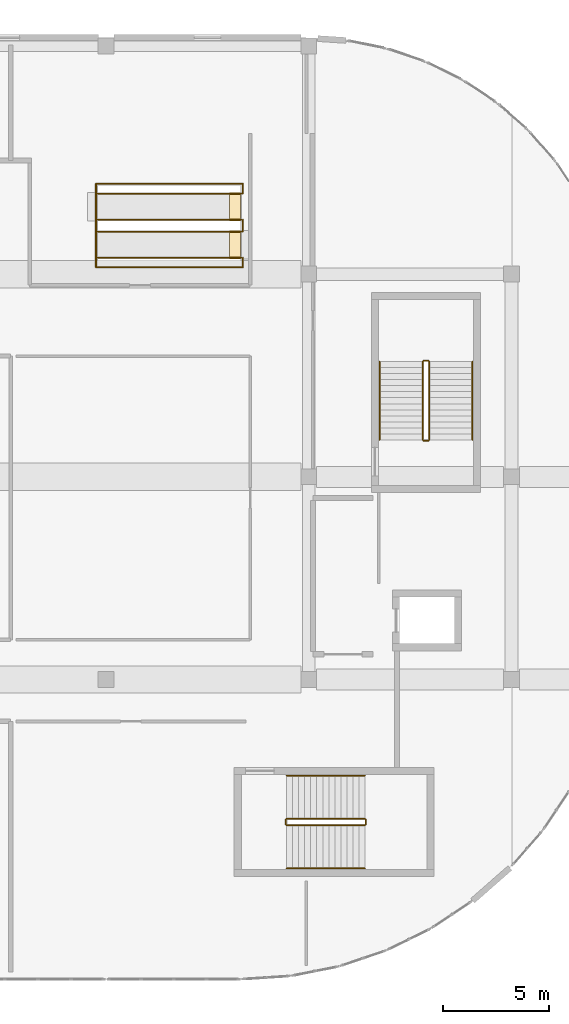
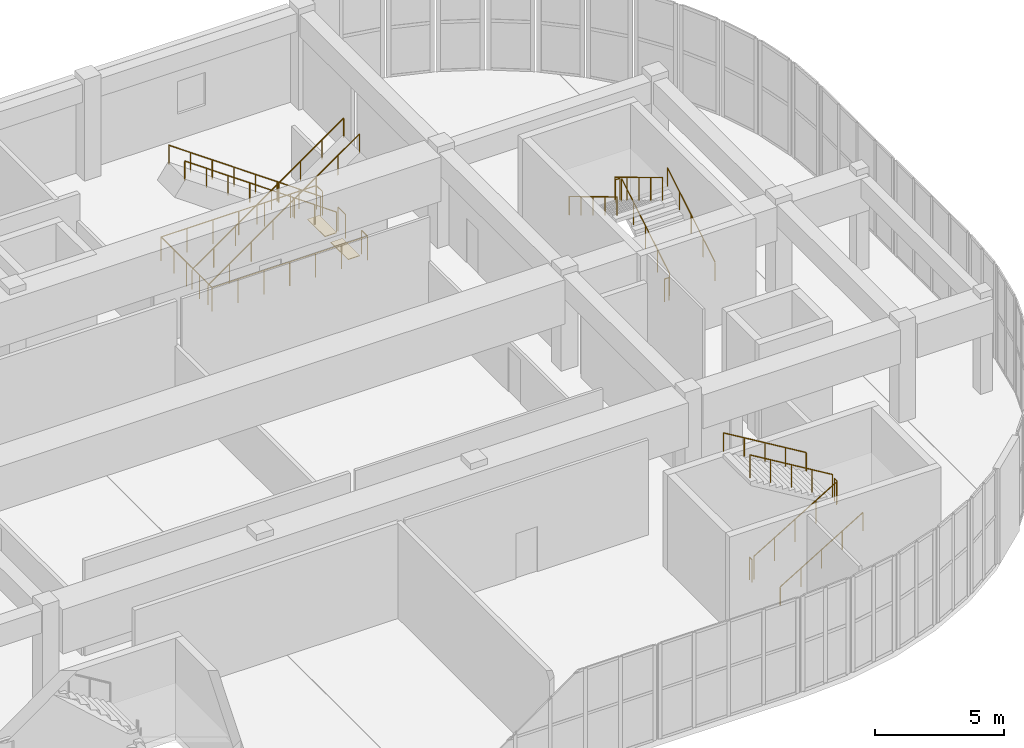
# One storey, part 26 of 28: 22 railings, 2 coverings.
"""IFC4 building model written with IfcOpenShell, lengths in metres."""

from ifc_helpers import new_model, si_unit, direction, frame, origin, origin_2d, place, context, subcontext, project, spatial, polyline, circle, outline, extrude, material, layer, layer_set, type_object, element, save


model = new_model("IFC4")

# Units and contexts
model_context = context("Model", 3, precision=1e-05, world=origin(), true_north=direction((0.0, 1.0)))
body_context = subcontext(model_context, "Body", "Model", "MODEL_VIEW")
ifc_project = project(units=[si_unit("LENGTHUNIT", "METRE"), si_unit("AREAUNIT", "SQUARE_METRE"), si_unit("VOLUMEUNIT", "CUBIC_METRE"), si_unit("PLANEANGLEUNIT", "RADIAN"), si_unit("MASSUNIT", "GRAM", prefix="KILO")], contexts=[model_context])

# Site, building, storey
site_placement = place(None, origin())
site = spatial("IfcSite", under=ifc_project, at=site_placement, CompositionType="ELEMENT")
building_placement = place(site_placement, origin())
building = spatial("IfcBuilding", under=site, at=building_placement, Name="Cendralis Terraced Arcade", CompositionType="ELEMENT")
storey_placement = place(building_placement, frame((0.0, 0.0, 24.60009765625)))
storey = spatial("IfcBuildingStorey", under=building, at=storey_placement, Name="L05", CompositionType="ELEMENT", Elevation=24.60009765625)

# Coverings
ifc_material_1 = material(Name="Polished Bogota limestone terrazzo flooring", Category="masonry")
ifc_layer = layer(ifc_material_1, 0.030029296875, Name="COV-FLR-TERZ-30")
ifc_layer_set = layer_set([ifc_layer], Name="Polished Bogota limestone terrazzo flooring")
covering_type = type_object("IfcCoveringType", Name="COV-FLR-TERZ-30", PredefinedType="FLOORING", material=ifc_layer_set)
covering_1_placement = place(storey_placement, frame((0.0, 0.0, -0.030029296875)))
element("IfcCovering", 1, at=covering_1_placement, inside=storey, type_object=covering_type, Name="Escalator Landing Comb-Plate Finish L05-09", PredefinedType="FLOORING", context=body_context, shape_type="SweptSolid", body=[
    extrude(outline(polyline([(44.25, 39.125), (44.77490234375, 39.125), (44.77490234375, 40.47509765625), (44.25, 40.47509765625), (44.25, 39.125)])), origin(), (0.0, 0.0, 1.0), 0.030029296875),
])
covering_2_placement = place(storey_placement, frame((0.0, 0.0, -0.030029296875)))
element("IfcCovering", 2, at=covering_2_placement, inside=storey, type_object=covering_type, Name="Escalator Landing Comb-Plate Finish L05-10", PredefinedType="FLOORING", context=body_context, shape_type="SweptSolid", body=[
    extrude(outline(polyline([(44.25, 40.925048828125), (44.77490234375, 40.925048828125), (44.77490234375, 42.27490234375), (44.25, 42.27490234375), (44.25, 40.925048828125)])), origin(), (0.0, 0.0, 1.0), 0.030029296875),
])

# Railings
ifc_material_2 = material(Name="Brushed stainless steel AISI 316", Category="steel")
railing_type_1 = type_object("IfcRailingType", Name="RL-ESC-HAND-950", PredefinedType="HANDRAIL", material=ifc_material_2)
for number, where, name in (
    (3, (38.0, 39.18505859375, 0.0), "Escalator Balustrade Handrail ESC-11-1"),
    (4, (38.0, 40.4150390625, 0.0), "Escalator Balustrade Handrail ESC-11-2"),
):
    element("IfcRailing", number, at=place(storey_placement, frame(where)), inside=storey, type_object=railing_type_1, Name=name, PredefinedType="HANDRAIL", context=body_context, shape_type="SweptSolid", body=[
        extrude(circle(Radius=0.02392578125, at=origin_2d()), frame((0.0, 0.0, 0.92578125), z_axis=(0.816980869341, 0.0, 0.576664771883), x_axis=(0.0, 1.0, 0.0)), (0.0, 0.0, 1.0), 8.323486328125),
        extrude(circle(Radius=0.02099609375, at=origin_2d()), origin(), (0.0, 0.0, 1.0), 0.90185546875),
        extrude(circle(Radius=0.02099609375, at=origin_2d()), frame((0.971435546875, 0.0, 0.685791015625)), (0.0, 0.0, 1.0), 0.90185546875),
        extrude(circle(Radius=0.02099609375, at=origin_2d()), frame((1.94287109375, 0.0, 1.371337890625)), (0.0, 0.0, 1.0), 0.90185546875),
        extrude(circle(Radius=0.02099609375, at=origin_2d()), frame((2.914306640625, 0.0, 2.05712890625)), (0.0, 0.0, 1.0), 0.90185546875),
        extrude(circle(Radius=0.02099609375, at=origin_2d()), frame((3.8857421875, 0.0, 2.74267578125)), (0.0, 0.0, 1.0), 0.90185546875),
        extrude(circle(Radius=0.02099609375, at=origin_2d()), frame((4.857177734375, 0.0, 3.428466796875)), (0.0, 0.0, 1.0), 0.90185546875),
        extrude(circle(Radius=0.02099609375, at=origin_2d()), frame((5.82861328125, 0.0, 4.114013671875)), (0.0, 0.0, 1.0), 0.90185546875),
        extrude(circle(Radius=0.02099609375, at=origin_2d()), frame((6.800048828125, 0.0, 4.7998046875)), (0.0, 0.0, 1.0), 0.90185546875),
    ])
for number, where, name in (
    (5, (44.800048828125, 40.985107421875, 0.0), "Escalator Balustrade Handrail ESC-12-1"),
    (6, (44.800048828125, 42.215087890625, 0.0), "Escalator Balustrade Handrail ESC-12-2"),
):
    element("IfcRailing", number, at=place(storey_placement, frame(where)), inside=storey, type_object=railing_type_1, Name=name, PredefinedType="HANDRAIL", context=body_context, shape_type="SweptSolid", body=[
        extrude(circle(Radius=0.02392578125, at=origin_2d()), frame((0.0, 0.0, 0.92578125), z_axis=(-0.816980869341, 0.0, 0.576664771883), x_axis=(0.0, -1.0, 0.0)), (0.0, 0.0, 1.0), 8.323486328125),
        extrude(circle(Radius=0.02099609375, at=origin_2d()), origin(), (0.0, 0.0, 1.0), 0.90185546875),
        extrude(circle(Radius=0.02099609375, at=origin_2d()), frame((-0.971435546875, 0.0, 0.685791015625)), (0.0, 0.0, 1.0), 0.90185546875),
        extrude(circle(Radius=0.02099609375, at=origin_2d()), frame((-1.94287109375, 0.0, 1.371337890625)), (0.0, 0.0, 1.0), 0.90185546875),
        extrude(circle(Radius=0.02099609375, at=origin_2d()), frame((-2.914306640625, 0.0, 2.05712890625)), (0.0, 0.0, 1.0), 0.90185546875),
        extrude(circle(Radius=0.02099609375, at=origin_2d()), frame((-3.8857421875, 0.0, 2.74267578125)), (0.0, 0.0, 1.0), 0.90185546875),
        extrude(circle(Radius=0.02099609375, at=origin_2d()), frame((-4.857177734375, 0.0, 3.428466796875)), (0.0, 0.0, 1.0), 0.90185546875),
        extrude(circle(Radius=0.02099609375, at=origin_2d()), frame((-5.82861328125, 0.0, 4.114013671875)), (0.0, 0.0, 1.0), 0.90185546875),
        extrude(circle(Radius=0.02099609375, at=origin_2d()), frame((-6.800048828125, 0.0, 4.7998046875)), (0.0, 0.0, 1.0), 0.90185546875),
    ])
railing_type_2 = type_object("IfcRailingType", Name="RL-STAIR-GUARD-1100", PredefinedType="GUARDRAIL", material=ifc_material_2)
railing_1_placement = place(storey_placement, frame((46.949951171875, 12.300048828125, 0.17138671875)))
element("IfcRailing", 7, at=railing_1_placement, inside=storey, type_object=railing_type_2, Name="L05 ST-03 stair guard 1", PredefinedType="GUARDRAIL", context=body_context, shape_type="SweptSolid", body=[
    extrude(circle(Radius=0.02392578125, at=origin_2d()), frame((0.0, 0.0, 1.076171875), z_axis=(0.856934400257, 0.0, 0.515425487977), x_axis=(0.0, 1.0, 0.0)), (0.0, 0.0, 1.0), 4.32373046875),
    extrude(circle(Radius=0.02099609375, at=origin_2d()), origin(), (0.0, 0.0, 1.0), 1.052001953125),
    extrude(circle(Radius=0.02099609375, at=origin_2d()), frame((0.92626953125, 0.0, 0.55712890625)), (0.0, 0.0, 1.0), 1.052001953125),
    extrude(circle(Radius=0.02099609375, at=origin_2d()), frame((1.8525390625, 0.0, 1.1142578125)), (0.0, 0.0, 1.0), 1.052001953125),
    extrude(circle(Radius=0.02099609375, at=origin_2d()), frame((2.77880859375, 0.0, 1.67138671875)), (0.0, 0.0, 1.0), 1.052001953125),
    extrude(circle(Radius=0.02099609375, at=origin_2d()), frame((3.705078125, 0.0, 2.228515625)), (0.0, 0.0, 1.0), 1.052001953125),
])
railing_2_placement = place(storey_placement, frame((50.705078125, 12.35009765625, 2.39990234375)))
element("IfcRailing", 8, at=railing_2_placement, inside=storey, type_object=railing_type_2, Name="L05 ST-03 stair guard 2", PredefinedType="GUARDRAIL", context=body_context, shape_type="SweptSolid", body=[
    extrude(circle(Radius=0.02392578125, at=origin_2d()), frame((0.0, 0.0, 1.076171875), z_axis=(0.0, 1.0, 0.0), x_axis=(-1.0, 0.0, 0.0)), (0.0, 0.0, 1.0), 0.199951171875),
    extrude(circle(Radius=0.02099609375, at=origin_2d()), origin(), (0.0, 0.0, 1.0), 1.052001953125),
    extrude(circle(Radius=0.02099609375, at=origin_2d()), frame((0.0, 0.199951171875, 0.0)), (0.0, 0.0, 1.0), 1.052001953125),
])
railing_3_placement = place(storey_placement, frame((50.655029296875, 12.60009765625, 2.5712890625)))
element("IfcRailing", 9, at=railing_3_placement, inside=storey, type_object=railing_type_2, Name="L05 ST-03 stair guard 3", PredefinedType="GUARDRAIL", context=body_context, shape_type="SweptSolid", body=[
    extrude(circle(Radius=0.02392578125, at=origin_2d()), frame((0.0, 0.0, 1.076171875), z_axis=(-0.856934400257, 0.0, 0.515425487977), x_axis=(0.0, -1.0, 0.0)), (0.0, 0.0, 1.0), 4.32373046875),
    extrude(circle(Radius=0.02099609375, at=origin_2d()), origin(), (0.0, 0.0, 1.0), 1.052001953125),
    extrude(circle(Radius=0.02099609375, at=origin_2d()), frame((-0.92626953125, 0.0, 0.55712890625)), (0.0, 0.0, 1.0), 1.052001953125),
    extrude(circle(Radius=0.02099609375, at=origin_2d()), frame((-1.8525390625, 0.0, 1.1142578125)), (0.0, 0.0, 1.0), 1.052001953125),
    extrude(circle(Radius=0.02099609375, at=origin_2d()), frame((-2.77880859375, 0.0, 1.67138671875)), (0.0, 0.0, 1.0), 1.052001953125),
    extrude(circle(Radius=0.02099609375, at=origin_2d()), frame((-3.705078125, 0.0, 2.228515625)), (0.0, 0.0, 1.0), 1.052001953125),
])
railing_4_placement = place(storey_placement, frame((46.89990234375, 12.35009765625, 0.0)))
element("IfcRailing", 10, at=railing_4_placement, inside=storey, type_object=railing_type_2, Name="L05 ST-03 stair guard 4", PredefinedType="GUARDRAIL", context=body_context, shape_type="SweptSolid", body=[
    extrude(circle(Radius=0.02392578125, at=origin_2d()), frame((0.0, 0.0, 1.076171875), z_axis=(0.0, 1.0, 0.0), x_axis=(-1.0, 0.0, 0.0)), (0.0, 0.0, 1.0), 0.199951171875),
    extrude(circle(Radius=0.02099609375, at=origin_2d()), origin(), (0.0, 0.0, 1.0), 1.052001953125),
    extrude(circle(Radius=0.02099609375, at=origin_2d()), frame((0.0, 0.199951171875, 0.0)), (0.0, 0.0, 1.0), 1.052001953125),
])
railing_5_placement = place(storey_placement, frame((53.699951171875, 30.550048828125, 0.17138671875)))
element("IfcRailing", 11, at=railing_5_placement, inside=storey, type_object=railing_type_2, Name="L05 ST-04 stair guard 1", PredefinedType="GUARDRAIL", context=body_context, shape_type="SweptSolid", body=[
    extrude(circle(Radius=0.02392578125, at=origin_2d()), frame((0.0, 0.0, 1.076171875), z_axis=(0.0, 0.856919398105, 0.515450429384), x_axis=(-1.0, 0.0, 0.0)), (0.0, 0.0, 1.0), 4.323486328125),
    extrude(circle(Radius=0.02099609375, at=origin_2d()), origin(), (0.0, 0.0, 1.0), 1.052001953125),
    extrude(circle(Radius=0.02099609375, at=origin_2d()), frame((0.0, 0.92626953125, 0.55712890625)), (0.0, 0.0, 1.0), 1.052001953125),
    extrude(circle(Radius=0.02099609375, at=origin_2d()), frame((0.0, 1.8525390625, 1.1142578125)), (0.0, 0.0, 1.0), 1.052001953125),
    extrude(circle(Radius=0.02099609375, at=origin_2d()), frame((0.0, 2.778564453125, 1.67138671875)), (0.0, 0.0, 1.0), 1.052001953125),
    extrude(circle(Radius=0.02099609375, at=origin_2d()), frame((0.0, 3.704833984375, 2.228515625)), (0.0, 0.0, 1.0), 1.052001953125),
])
railing_6_placement = place(storey_placement, frame((53.64990234375, 34.304931640625, 2.39990234375)))
element("IfcRailing", 12, at=railing_6_placement, inside=storey, type_object=railing_type_2, Name="L05 ST-04 stair guard 2", PredefinedType="GUARDRAIL", context=body_context, shape_type="SweptSolid", body=[
    extrude(circle(Radius=0.02392578125, at=origin_2d()), frame((0.0, 0.0, 1.076171875), z_axis=(-1.0, 0.0, 0.0), x_axis=(0.0, -1.0, 0.0)), (0.0, 0.0, 1.0), 0.199951171875),
    extrude(circle(Radius=0.02099609375, at=origin_2d()), origin(), (0.0, 0.0, 1.0), 1.052001953125),
    extrude(circle(Radius=0.02099609375, at=origin_2d()), frame((-0.199951171875, 0.0, 0.0)), (0.0, 0.0, 1.0), 1.052001953125),
])
railing_7_placement = place(storey_placement, frame((53.39990234375, 34.2548828125, 2.5712890625)))
element("IfcRailing", 13, at=railing_7_placement, inside=storey, type_object=railing_type_2, Name="L05 ST-04 stair guard 3", PredefinedType="GUARDRAIL", context=body_context, shape_type="SweptSolid", body=[
    extrude(circle(Radius=0.02392578125, at=origin_2d()), frame((0.0, 0.0, 1.076171875), z_axis=(0.0, -0.856919398105, 0.515450429384), x_axis=(1.0, 0.0, 0.0)), (0.0, 0.0, 1.0), 4.323486328125),
    extrude(circle(Radius=0.02099609375, at=origin_2d()), origin(), (0.0, 0.0, 1.0), 1.052001953125),
    extrude(circle(Radius=0.02099609375, at=origin_2d()), frame((0.0, -0.92626953125, 0.55712890625)), (0.0, 0.0, 1.0), 1.052001953125),
    extrude(circle(Radius=0.02099609375, at=origin_2d()), frame((0.0, -1.8525390625, 1.1142578125)), (0.0, 0.0, 1.0), 1.052001953125),
    extrude(circle(Radius=0.02099609375, at=origin_2d()), frame((0.0, -2.778564453125, 1.67138671875)), (0.0, 0.0, 1.0), 1.052001953125),
    extrude(circle(Radius=0.02099609375, at=origin_2d()), frame((0.0, -3.704833984375, 2.228515625)), (0.0, 0.0, 1.0), 1.052001953125),
])
railing_8_placement = place(storey_placement, frame((53.64990234375, 30.5, 0.0)))
element("IfcRailing", 14, at=railing_8_placement, inside=storey, type_object=railing_type_2, Name="L05 ST-04 stair guard 4", PredefinedType="GUARDRAIL", context=body_context, shape_type="SweptSolid", body=[
    extrude(circle(Radius=0.02392578125, at=origin_2d()), frame((0.0, 0.0, 1.076171875), z_axis=(-1.0, 0.0, 0.0), x_axis=(0.0, -1.0, 0.0)), (0.0, 0.0, 1.0), 0.199951171875),
    extrude(circle(Radius=0.02099609375, at=origin_2d()), origin(), (0.0, 0.0, 1.0), 1.052001953125),
    extrude(circle(Radius=0.02099609375, at=origin_2d()), frame((-0.199951171875, 0.0, 0.0)), (0.0, 0.0, 1.0), 1.052001953125),
])
railing_type_3 = type_object("IfcRailingType", Name="RL-STAIR-HAND-900", PredefinedType="HANDRAIL", material=ifc_material_2)
railing_9_placement = place(storey_placement, frame((46.949951171875, 10.25, 0.17138671875)))
element("IfcRailing", 15, at=railing_9_placement, inside=storey, type_object=railing_type_3, Name="L05 ST-03 stair handrail 1", PredefinedType="HANDRAIL", context=body_context, shape_type="SweptSolid", body=[
    extrude(circle(Radius=0.02392578125, at=origin_2d()), frame((0.0, 0.0, 0.8759765625), z_axis=(0.856934400257, 0.0, 0.515425487977), x_axis=(0.0, 1.0, 0.0)), (0.0, 0.0, 1.0), 4.32373046875),
    extrude(circle(Radius=0.02099609375, at=origin_2d()), origin(), (0.0, 0.0, 1.0), 0.851806640625),
    extrude(circle(Radius=0.02099609375, at=origin_2d()), frame((0.92626953125, 0.0, 0.55712890625)), (0.0, 0.0, 1.0), 0.851806640625),
    extrude(circle(Radius=0.02099609375, at=origin_2d()), frame((1.8525390625, 0.0, 1.1142578125)), (0.0, 0.0, 1.0), 0.851806640625),
    extrude(circle(Radius=0.02099609375, at=origin_2d()), frame((2.77880859375, 0.0, 1.67138671875)), (0.0, 0.0, 1.0), 0.851806640625),
    extrude(circle(Radius=0.02099609375, at=origin_2d()), frame((3.705078125, 0.0, 2.228515625)), (0.0, 0.0, 1.0), 0.851806640625),
])
railing_10_placement = place(storey_placement, frame((50.655029296875, 14.64990234375, 2.5712890625)))
element("IfcRailing", 16, at=railing_10_placement, inside=storey, type_object=railing_type_3, Name="L05 ST-03 stair handrail 2", PredefinedType="HANDRAIL", context=body_context, shape_type="SweptSolid", body=[
    extrude(circle(Radius=0.02392578125, at=origin_2d()), frame((0.0, 0.0, 0.8759765625), z_axis=(-0.856934400257, 0.0, 0.515425487977), x_axis=(0.0, -1.0, 0.0)), (0.0, 0.0, 1.0), 4.32373046875),
    extrude(circle(Radius=0.02099609375, at=origin_2d()), origin(), (0.0, 0.0, 1.0), 0.851806640625),
    extrude(circle(Radius=0.02099609375, at=origin_2d()), frame((-0.92626953125, 0.0, 0.55712890625)), (0.0, 0.0, 1.0), 0.851806640625),
    extrude(circle(Radius=0.02099609375, at=origin_2d()), frame((-1.8525390625, 0.0, 1.1142578125)), (0.0, 0.0, 1.0), 0.851806640625),
    extrude(circle(Radius=0.02099609375, at=origin_2d()), frame((-2.77880859375, 0.0, 1.67138671875)), (0.0, 0.0, 1.0), 0.851806640625),
    extrude(circle(Radius=0.02099609375, at=origin_2d()), frame((-3.705078125, 0.0, 2.228515625)), (0.0, 0.0, 1.0), 0.851806640625),
])
railing_11_placement = place(storey_placement, frame((55.75, 30.550048828125, 0.17138671875)))
element("IfcRailing", 17, at=railing_11_placement, inside=storey, type_object=railing_type_3, Name="L05 ST-04 stair handrail 1", PredefinedType="HANDRAIL", context=body_context, shape_type="SweptSolid", body=[
    extrude(circle(Radius=0.02392578125, at=origin_2d()), frame((0.0, 0.0, 0.8759765625), z_axis=(0.0, 0.856919398105, 0.515450429384), x_axis=(-1.0, 0.0, 0.0)), (0.0, 0.0, 1.0), 4.323486328125),
    extrude(circle(Radius=0.02099609375, at=origin_2d()), origin(), (0.0, 0.0, 1.0), 0.851806640625),
    extrude(circle(Radius=0.02099609375, at=origin_2d()), frame((0.0, 0.92626953125, 0.55712890625)), (0.0, 0.0, 1.0), 0.851806640625),
    extrude(circle(Radius=0.02099609375, at=origin_2d()), frame((0.0, 1.8525390625, 1.1142578125)), (0.0, 0.0, 1.0), 0.851806640625),
    extrude(circle(Radius=0.02099609375, at=origin_2d()), frame((0.0, 2.778564453125, 1.67138671875)), (0.0, 0.0, 1.0), 0.851806640625),
    extrude(circle(Radius=0.02099609375, at=origin_2d()), frame((0.0, 3.704833984375, 2.228515625)), (0.0, 0.0, 1.0), 0.851806640625),
])
railing_12_placement = place(storey_placement, frame((51.35009765625, 34.2548828125, 2.5712890625)))
element("IfcRailing", 18, at=railing_12_placement, inside=storey, type_object=railing_type_3, Name="L05 ST-04 stair handrail 2", PredefinedType="HANDRAIL", context=body_context, shape_type="SweptSolid", body=[
    extrude(circle(Radius=0.02392578125, at=origin_2d()), frame((0.0, 0.0, 0.8759765625), z_axis=(0.0, -0.856919398105, 0.515450429384), x_axis=(1.0, 0.0, 0.0)), (0.0, 0.0, 1.0), 4.323486328125),
    extrude(circle(Radius=0.02099609375, at=origin_2d()), origin(), (0.0, 0.0, 1.0), 0.851806640625),
    extrude(circle(Radius=0.02099609375, at=origin_2d()), frame((0.0, -0.92626953125, 0.55712890625)), (0.0, 0.0, 1.0), 0.851806640625),
    extrude(circle(Radius=0.02099609375, at=origin_2d()), frame((0.0, -1.8525390625, 1.1142578125)), (0.0, 0.0, 1.0), 0.851806640625),
    extrude(circle(Radius=0.02099609375, at=origin_2d()), frame((0.0, -2.778564453125, 1.67138671875)), (0.0, 0.0, 1.0), 0.851806640625),
    extrude(circle(Radius=0.02099609375, at=origin_2d()), frame((0.0, -3.704833984375, 2.228515625)), (0.0, 0.0, 1.0), 0.851806640625),
])
railing_type_4 = type_object("IfcRailingType", Name="RL-VOID-BAL-1150", PredefinedType="BALUSTRADE", material=ifc_material_2)
railing_13_placement = place(storey_placement, frame((44.8798828125, 38.719970703125, 0.0)))
element("IfcRailing", 19, at=railing_13_placement, inside=storey, type_object=railing_type_4, Name="Escalator Well Deck-Edge Balustrade L05-025", PredefinedType="BALUSTRADE", context=body_context, shape_type="SweptSolid", body=[
    extrude(circle(Radius=0.02392578125, at=origin_2d()), frame((0.0, 0.0, 1.1259765625), z_axis=(-1.0, 0.0, 0.0), x_axis=(0.0, -1.0, 0.0)), (0.0, 0.0, 1.0), 6.9599609375),
    extrude(circle(Radius=0.02099609375, at=origin_2d()), origin(), (0.0, 0.0, 1.0), 1.101806640625),
    extrude(circle(Radius=0.02099609375, at=origin_2d()), frame((-1.159912109375, 0.0, 0.0)), (0.0, 0.0, 1.0), 1.101806640625),
    extrude(circle(Radius=0.02099609375, at=origin_2d()), frame((-2.320068359375, 0.0, 0.0)), (0.0, 0.0, 1.0), 1.101806640625),
    extrude(circle(Radius=0.02099609375, at=origin_2d()), frame((-3.47998046875, 0.0, 0.0)), (0.0, 0.0, 1.0), 1.101806640625),
    extrude(circle(Radius=0.02099609375, at=origin_2d()), frame((-4.639892578125, 0.0, 0.0)), (0.0, 0.0, 1.0), 1.101806640625),
    extrude(circle(Radius=0.02099609375, at=origin_2d()), frame((-5.800048828125, 0.0, 0.0)), (0.0, 0.0, 1.0), 1.101806640625),
    extrude(circle(Radius=0.02099609375, at=origin_2d()), frame((-6.9599609375, 0.0, 0.0)), (0.0, 0.0, 1.0), 1.101806640625),
])
railing_14_placement = place(storey_placement, frame((37.919921875, 38.719970703125, 0.0)))
element("IfcRailing", 20, at=railing_14_placement, inside=storey, type_object=railing_type_4, Name="Escalator Well Deck-Edge Balustrade L05-026", PredefinedType="BALUSTRADE", context=body_context, shape_type="SweptSolid", body=[
    extrude(circle(Radius=0.02392578125, at=origin_2d()), frame((0.0, 0.0, 1.1259765625), z_axis=(0.0, 1.0, 0.0), x_axis=(-1.0, 0.0, 0.0)), (0.0, 0.0, 1.0), 3.9599609375),
    extrude(circle(Radius=0.02099609375, at=origin_2d()), origin(), (0.0, 0.0, 1.0), 1.101806640625),
    extrude(circle(Radius=0.02099609375, at=origin_2d()), frame((0.0, 0.989990234375, 0.0)), (0.0, 0.0, 1.0), 1.101806640625),
    extrude(circle(Radius=0.02099609375, at=origin_2d()), frame((0.0, 1.97998046875, 0.0)), (0.0, 0.0, 1.0), 1.101806640625),
    extrude(circle(Radius=0.02099609375, at=origin_2d()), frame((0.0, 2.969970703125, 0.0)), (0.0, 0.0, 1.0), 1.101806640625),
    extrude(circle(Radius=0.02099609375, at=origin_2d()), frame((0.0, 3.9599609375, 0.0)), (0.0, 0.0, 1.0), 1.101806640625),
])
railing_15_placement = place(storey_placement, frame((37.919921875, 42.679931640625, 0.0)))
element("IfcRailing", 21, at=railing_15_placement, inside=storey, type_object=railing_type_4, Name="Escalator Well Deck-Edge Balustrade L05-027", PredefinedType="BALUSTRADE", context=body_context, shape_type="SweptSolid", body=[
    extrude(circle(Radius=0.02392578125, at=origin_2d()), frame((0.0, 0.0, 1.1259765625), z_axis=(1.0, 0.0, 0.0), x_axis=(0.0, 1.0, 0.0)), (0.0, 0.0, 1.0), 6.9599609375),
    extrude(circle(Radius=0.02099609375, at=origin_2d()), origin(), (0.0, 0.0, 1.0), 1.101806640625),
    extrude(circle(Radius=0.02099609375, at=origin_2d()), frame((1.159912109375, 0.0, 0.0)), (0.0, 0.0, 1.0), 1.101806640625),
    extrude(circle(Radius=0.02099609375, at=origin_2d()), frame((2.320068359375, 0.0, 0.0)), (0.0, 0.0, 1.0), 1.101806640625),
    extrude(circle(Radius=0.02099609375, at=origin_2d()), frame((3.47998046875, 0.0, 0.0)), (0.0, 0.0, 1.0), 1.101806640625),
    extrude(circle(Radius=0.02099609375, at=origin_2d()), frame((4.639892578125, 0.0, 0.0)), (0.0, 0.0, 1.0), 1.101806640625),
    extrude(circle(Radius=0.02099609375, at=origin_2d()), frame((5.800048828125, 0.0, 0.0)), (0.0, 0.0, 1.0), 1.101806640625),
    extrude(circle(Radius=0.02099609375, at=origin_2d()), frame((6.9599609375, 0.0, 0.0)), (0.0, 0.0, 1.0), 1.101806640625),
])
railing_16_placement = place(storey_placement, frame((44.8798828125, 38.719970703125, 0.0)))
element("IfcRailing", 22, at=railing_16_placement, inside=storey, type_object=railing_type_4, Name="Escalator Well Deck-Edge Balustrade L05-028", PredefinedType="BALUSTRADE", context=body_context, shape_type="SweptSolid", body=[
    extrude(circle(Radius=0.02392578125, at=origin_2d()), frame((0.0, 0.0, 1.1259765625), z_axis=(0.0, 1.0, 0.0), x_axis=(-1.0, 0.0, 0.0)), (0.0, 0.0, 1.0), 0.465087890625),
    extrude(circle(Radius=0.02099609375, at=origin_2d()), origin(), (0.0, 0.0, 1.0), 1.101806640625),
    extrude(circle(Radius=0.02099609375, at=origin_2d()), frame((0.0, 0.465087890625, 0.0)), (0.0, 0.0, 1.0), 1.101806640625),
])
railing_17_placement = place(storey_placement, frame((44.8798828125, 40.4150390625, 0.0)))
element("IfcRailing", 23, at=railing_17_placement, inside=storey, type_object=railing_type_4, Name="Escalator Well Deck-Edge Balustrade L05-029", PredefinedType="BALUSTRADE", context=body_context, shape_type="SweptSolid", body=[
    extrude(circle(Radius=0.02392578125, at=origin_2d()), frame((0.0, 0.0, 1.1259765625), z_axis=(0.0, 1.0, 0.0), x_axis=(-1.0, 0.0, 0.0)), (0.0, 0.0, 1.0), 0.570068359375),
    extrude(circle(Radius=0.02099609375, at=origin_2d()), origin(), (0.0, 0.0, 1.0), 1.101806640625),
    extrude(circle(Radius=0.02099609375, at=origin_2d()), frame((0.0, 0.570068359375, 0.0)), (0.0, 0.0, 1.0), 1.101806640625),
])
railing_18_placement = place(storey_placement, frame((44.8798828125, 42.215087890625, 0.0)))
element("IfcRailing", 24, at=railing_18_placement, inside=storey, type_object=railing_type_4, Name="Escalator Well Deck-Edge Balustrade L05-030", PredefinedType="BALUSTRADE", context=body_context, shape_type="SweptSolid", body=[
    extrude(circle(Radius=0.02392578125, at=origin_2d()), frame((0.0, 0.0, 1.1259765625), z_axis=(0.0, 1.0, 0.0), x_axis=(-1.0, 0.0, 0.0)), (0.0, 0.0, 1.0), 0.46484375),
    extrude(circle(Radius=0.02099609375, at=origin_2d()), origin(), (0.0, 0.0, 1.0), 1.101806640625),
    extrude(circle(Radius=0.02099609375, at=origin_2d()), frame((0.0, 0.46484375, 0.0)), (0.0, 0.0, 1.0), 1.101806640625),
])

save(model, "model.ifc")
